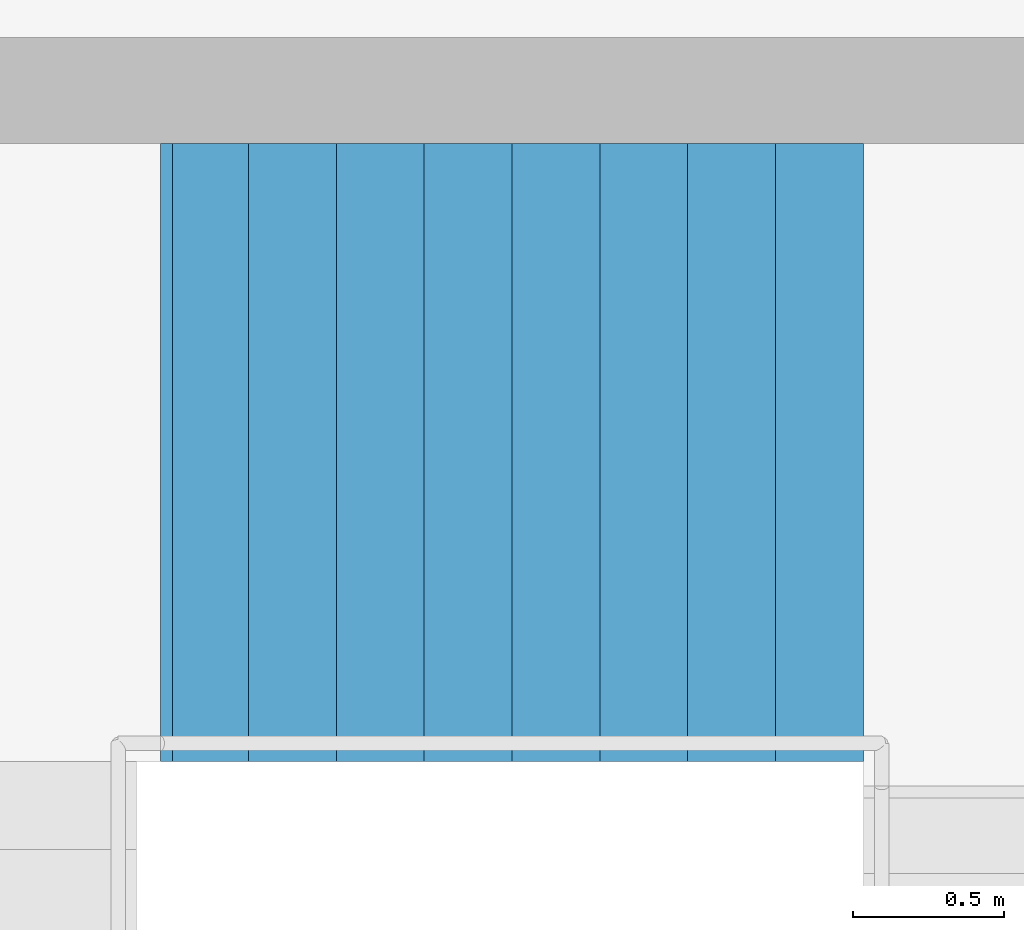
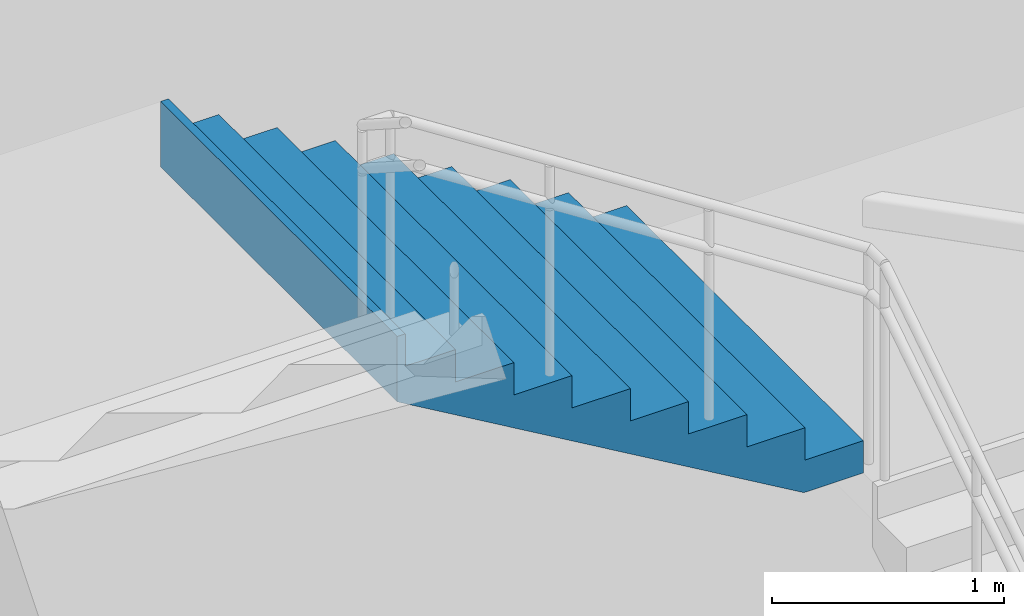
# One storey, part 49 of 58: 1 stair flight, 1 element without a shape of its own.
"""IFC4 building model written with IfcOpenShell, lengths in metres."""

from ifc_helpers import new_model, si_unit, direction, frame, origin, place, context, subcontext, project, spatial, triangles, material, type_object, element, aggregate, save


model = new_model("IFC4")

# Units and contexts
model_context = context("Model", 3, precision=1e-05, world=origin(), true_north=direction((0.0, 1.0)))
body_context = subcontext(model_context, "Body", "Model", "MODEL_VIEW")
ifc_project = project(units=[si_unit("LENGTHUNIT", "METRE"), si_unit("AREAUNIT", "SQUARE_METRE"), si_unit("VOLUMEUNIT", "CUBIC_METRE"), si_unit("PLANEANGLEUNIT", "RADIAN"), si_unit("MASSUNIT", "GRAM", prefix="KILO")], contexts=[model_context])

# Site, building, storey
site_placement = place(None, origin())
site = spatial("IfcSite", under=ifc_project, at=site_placement, CompositionType="ELEMENT")
building_placement = place(site_placement, origin())
building = spatial("IfcBuilding", under=site, at=building_placement, Name="Sillaruma Civic Art Gallery", CompositionType="ELEMENT")
storey_placement = place(building_placement, frame((0.0, 0.0, 22.43994140625)))
storey = spatial("IfcBuildingStorey", under=building, at=storey_placement, Name="L04", CompositionType="ELEMENT", Elevation=22.43994140625)

# Stair, stair flight
ifc_material = material(Name="Concrete H35 (35 MPa)", Category="concrete")
stair_type = type_object("IfcStairType", Name="STR-4F-36", PredefinedType="USERDEFINED", material=ifc_material)
stair_placement = place(storey_placement, origin())
stair = element("IfcStair", 1, at=stair_placement, inside=storey, type_object=stair_type, Name="Protected Exit Stair ST-04 (East Bar) (L04)", ObjectType="THREE_RETURN_STAIR", PredefinedType="USERDEFINED")
stair_flight_type = type_object("IfcStairFlightType", Name="SFL-STR-9", PredefinedType="STRAIGHT", material=ifc_material)
stair_flight_placement = place(storey_placement, frame((103.300048828125, 56.669921875, 3.06005859375), z_axis=(0.0, 0.0, 1.0), x_axis=(-1.0, 0.0, 0.0)))
stair_flight = element("IfcStairFlight", 2, at=stair_flight_placement, type_object=stair_flight_type, Name="ST-04 flight 3", NumberOfRisers=9, NumberOfTreads=8, PredefinedType="STRAIGHT", RiserHeight=0.17, TreadLength=0.29, context=body_context, shape_type="Tessellation", body=[
    triangles([(0.0, -1.02001953125, 0.0), (0.29, -1.02001953125, 0.0), (0.296482, -1.02001953125, 0.0), (0.58, -1.02001953125, 0.1662), (0.87, -1.02001953125, 0.3362), (1.16, -1.02001953125, 0.5062), (1.45, -1.02001953125, 0.6762), (1.74, -1.02001953125, 0.8462), (2.03, -1.02001953125, 1.0162), (2.280068, -1.02001953125, 1.162792), (2.320068, -1.02001953125, 1.18624), (2.320068, -1.02001953125, 1.53), (2.280068, -1.02001953125, 1.53), (2.280068, -1.02001953125, 1.36), (2.03, -1.02001953125, 1.36), (2.03, -1.02001953125, 1.19), (1.74, -1.02001953125, 1.19), (1.74, -1.02001953125, 1.02), (1.45, -1.02001953125, 1.02), (1.45, -1.02001953125, 0.85), (1.16, -1.02001953125, 0.85), (1.16, -1.02001953125, 0.68), (0.87, -1.02001953125, 0.68), (0.87, -1.02001953125, 0.51), (0.58, -1.02001953125, 0.51), (0.58, -1.02001953125, 0.34), (0.296482, -1.02001953125, 0.34), (0.29, -1.02001953125, 0.34), (0.29, -1.02001953125, 0.17), (0.0, -1.02001953125, 0.17), (0.0, -0.05, 0.0), (0.29, -0.05, 0.0), (0.296482, -0.05, 0.0), (0.58, -0.05, 0.1662), (0.87, -0.05, 0.3362), (1.16, -0.05, 0.5062), (1.45, -0.05, 0.6762), (1.74, -0.05, 0.8462), (2.03, -0.05, 1.0162), (2.280068, -0.05, 1.162792), (2.320068, -0.05, 1.18624), (2.320068, -0.05, 1.53), (2.280068, -0.05, 1.53), (2.280068, -0.05, 1.36), (2.03, -0.05, 1.36), (2.03, -0.05, 1.19), (1.74, -0.05, 1.19), (1.74, -0.05, 1.02), (1.45, -0.05, 1.02), (1.45, -0.05, 0.85), (1.16, -0.05, 0.85), (1.16, -0.05, 0.68), (0.87, -0.05, 0.68), (0.87, -0.05, 0.51), (0.58, -0.05, 0.51), (0.58, -0.05, 0.34), (0.296482, -0.05, 0.34), (0.29, -0.05, 0.34), (0.29, -0.05, 0.17), (0.0, -0.05, 0.17), (0.0, -0.0375, 0.0), (0.29, -0.0375, 0.0), (0.296482, -0.0375, 0.0), (0.58, -0.0375, 0.1662), (0.87, -0.0375, 0.3362), (1.16, -0.0375, 0.5062), (1.45, -0.0375, 0.6762), (1.74, -0.0375, 0.8462), (2.03, -0.0375, 1.0162), (2.280068, -0.0375, 1.162792), (2.320068, -0.0375, 1.18624), (2.320068, -0.0375, 1.53), (2.280068, -0.0375, 1.53), (2.280068, -0.0375, 1.36), (2.03, -0.0375, 1.36), (2.03, -0.0375, 1.19), (1.74, -0.0375, 1.19), (1.74, -0.0375, 1.02), (1.45, -0.0375, 1.02), (1.45, -0.0375, 0.85), (1.16, -0.0375, 0.85), (1.16, -0.0375, 0.68), (0.87, -0.0375, 0.68), (0.87, -0.0375, 0.51), (0.58, -0.0375, 0.51), (0.58, -0.0375, 0.34), (0.296482, -0.0375, 0.34), (0.29, -0.0375, 0.34), (0.29, -0.0375, 0.17), (0.0, -0.0375, 0.17), (0.0, -0.025, 0.0), (0.29, -0.025, 0.0), (0.296482, -0.025, 0.0), (0.58, -0.025, 0.1662), (0.87, -0.025, 0.3362), (1.16, -0.025, 0.5062), (1.45, -0.025, 0.6762), (1.74, -0.025, 0.8462), (2.03, -0.025, 1.0162), (2.280068, -0.025, 1.162792), (2.320068, -0.025, 1.18624), (2.320068, -0.025, 1.53), (2.280068, -0.025, 1.53), (2.280068, -0.025, 1.36), (2.03, -0.025, 1.36), (2.03, -0.025, 1.19), (1.74, -0.025, 1.19), (1.74, -0.025, 1.02), (1.45, -0.025, 1.02), (1.45, -0.025, 0.85), (1.16, -0.025, 0.85), (1.16, -0.025, 0.68), (0.87, -0.025, 0.68), (0.87, -0.025, 0.51), (0.58, -0.025, 0.51), (0.58, -0.025, 0.34), (0.296482, -0.025, 0.34), (0.29, -0.025, 0.34), (0.29, -0.025, 0.17), (0.0, -0.025, 0.17), (0.0, -0.0125, 0.0), (0.29, -0.0125, 0.0), (0.296482, -0.0125, 0.0), (0.58, -0.0125, 0.1662), (0.87, -0.0125, 0.3362), (1.16, -0.0125, 0.5062), (1.45, -0.0125, 0.6762), (1.74, -0.0125, 0.8462), (2.03, -0.0125, 1.0162), (2.280068, -0.0125, 1.162792), (2.320068, -0.0125, 1.18624), (2.320068, -0.0125, 1.53), (2.280068, -0.0125, 1.53), (2.280068, -0.0125, 1.36), (2.03, -0.0125, 1.36), (2.03, -0.0125, 1.19), (1.74, -0.0125, 1.19), (1.74, -0.0125, 1.02), (1.45, -0.0125, 1.02), (1.45, -0.0125, 0.85), (1.16, -0.0125, 0.85), (1.16, -0.0125, 0.68), (0.87, -0.0125, 0.68), (0.87, -0.0125, 0.51), (0.58, -0.0125, 0.51), (0.58, -0.0125, 0.34), (0.296482, -0.0125, 0.34), (0.29, -0.0125, 0.34), (0.29, -0.0125, 0.17), (0.0, -0.0125, 0.17), (0.0, 0.0, 0.0), (0.29, 0.0, 0.0), (0.296482, 0.0, 0.0), (0.58, 0.0, 0.1662), (0.87, 0.0, 0.3362), (1.16, 0.0, 0.5062), (1.45, 0.0, 0.6762), (1.74, 0.0, 0.8462), (2.03, 0.0, 1.0162), (2.280068, 0.0, 1.162792), (2.320068, 0.0, 1.18624), (2.320068, 0.0, 1.53), (2.280068, 0.0, 1.53), (2.280068, 0.0, 1.36), (2.03, 0.0, 1.36), (2.03, 0.0, 1.19), (1.74, 0.0, 1.19), (1.74, 0.0, 1.02), (1.45, 0.0, 1.02), (1.45, 0.0, 0.85), (1.16, 0.0, 0.85), (1.16, 0.0, 0.68), (0.87, 0.0, 0.68), (0.87, 0.0, 0.51), (0.58, 0.0, 0.51), (0.58, 0.0, 0.34), (0.296482, 0.0, 0.34), (0.29, 0.0, 0.34), (0.29, 0.0, 0.17), (0.0, 0.0, 0.17), (0.0, 0.0125, 0.0), (0.29, 0.0125, 0.0), (0.296482, 0.0125, 0.0), (0.58, 0.0125, 0.1662), (0.87, 0.0125, 0.3362), (1.16, 0.0125, 0.5062), (1.45, 0.0125, 0.6762), (1.74, 0.0125, 0.8462), (2.03, 0.0125, 1.0162), (2.280068, 0.0125, 1.162792), (2.320068, 0.0125, 1.18624), (2.320068, 0.0125, 1.53), (2.280068, 0.0125, 1.53), (2.280068, 0.0125, 1.36), (2.03, 0.0125, 1.36), (2.03, 0.0125, 1.19), (1.74, 0.0125, 1.19), (1.74, 0.0125, 1.02), (1.45, 0.0125, 1.02), (1.45, 0.0125, 0.85), (1.16, 0.0125, 0.85), (1.16, 0.0125, 0.68), (0.87, 0.0125, 0.68), (0.87, 0.0125, 0.51), (0.58, 0.0125, 0.51), (0.58, 0.0125, 0.34), (0.296482, 0.0125, 0.34), (0.29, 0.0125, 0.34), (0.29, 0.0125, 0.17), (0.0, 0.0125, 0.17), (0.0, 0.025, 0.0), (0.29, 0.025, 0.0), (0.296482, 0.025, 0.0), (0.58, 0.025, 0.1662), (0.87, 0.025, 0.3362), (1.16, 0.025, 0.5062), (1.45, 0.025, 0.6762), (1.74, 0.025, 0.8462), (2.03, 0.025, 1.0162), (2.280068, 0.025, 1.162792), (2.320068, 0.025, 1.18624), (2.320068, 0.025, 1.53), (2.280068, 0.025, 1.53), (2.280068, 0.025, 1.36), (2.03, 0.025, 1.36), (2.03, 0.025, 1.19), (1.74, 0.025, 1.19), (1.74, 0.025, 1.02), (1.45, 0.025, 1.02), (1.45, 0.025, 0.85), (1.16, 0.025, 0.85), (1.16, 0.025, 0.68), (0.87, 0.025, 0.68), (0.87, 0.025, 0.51), (0.58, 0.025, 0.51), (0.58, 0.025, 0.34), (0.296482, 0.025, 0.34), (0.29, 0.025, 0.34), (0.29, 0.025, 0.17), (0.0, 0.025, 0.17), (0.0, 0.0375, 0.0), (0.29, 0.0375, 0.0), (0.296482, 0.0375, 0.0), (0.58, 0.0375, 0.1662), (0.87, 0.0375, 0.3362), (1.16, 0.0375, 0.5062), (1.45, 0.0375, 0.6762), (1.74, 0.0375, 0.8462), (2.03, 0.0375, 1.0162), (2.280068, 0.0375, 1.162792), (2.320068, 0.0375, 1.18624), (2.320068, 0.0375, 1.53), (2.280068, 0.0375, 1.53), (2.280068, 0.0375, 1.36), (2.03, 0.0375, 1.36), (2.03, 0.0375, 1.19), (1.74, 0.0375, 1.19), (1.74, 0.0375, 1.02), (1.45, 0.0375, 1.02), (1.45, 0.0375, 0.85), (1.16, 0.0375, 0.85), (1.16, 0.0375, 0.68), (0.87, 0.0375, 0.68), (0.87, 0.0375, 0.51), (0.58, 0.0375, 0.51), (0.58, 0.0375, 0.34), (0.296482, 0.0375, 0.34), (0.29, 0.0375, 0.34), (0.29, 0.0375, 0.17), (0.0, 0.0375, 0.17), (0.0, 0.05, 0.0), (0.29, 0.05, 0.0), (0.296482, 0.05, 0.0), (0.58, 0.05, 0.1662), (0.87, 0.05, 0.3362), (1.16, 0.05, 0.5062), (1.45, 0.05, 0.6762), (1.74, 0.05, 0.8462), (2.03, 0.05, 1.0162), (2.280068, 0.05, 1.162792), (2.320068, 0.05, 1.18624), (2.320068, 0.05, 1.53), (2.280068, 0.05, 1.53), (2.280068, 0.05, 1.36), (2.03, 0.05, 1.36), (2.03, 0.05, 1.19), (1.74, 0.05, 1.19), (1.74, 0.05, 1.02), (1.45, 0.05, 1.02), (1.45, 0.05, 0.85), (1.16, 0.05, 0.85), (1.16, 0.05, 0.68), (0.87, 0.05, 0.68), (0.87, 0.05, 0.51), (0.58, 0.05, 0.51), (0.58, 0.05, 0.34), (0.296482, 0.05, 0.34), (0.29, 0.05, 0.34), (0.29, 0.05, 0.17), (0.0, 0.05, 0.17), (0.0, 1.02001953125, 0.0), (0.29, 1.02001953125, 0.0), (0.296482, 1.02001953125, 0.0), (0.58, 1.02001953125, 0.1662), (0.87, 1.02001953125, 0.3362), (1.16, 1.02001953125, 0.5062), (1.45, 1.02001953125, 0.6762), (1.74, 1.02001953125, 0.8462), (2.03, 1.02001953125, 1.0162), (2.280068, 1.02001953125, 1.162792), (2.320068, 1.02001953125, 1.18624), (2.320068, 1.02001953125, 1.53), (2.280068, 1.02001953125, 1.53), (2.280068, 1.02001953125, 1.36), (2.03, 1.02001953125, 1.36), (2.03, 1.02001953125, 1.19), (1.74, 1.02001953125, 1.19), (1.74, 1.02001953125, 1.02), (1.45, 1.02001953125, 1.02), (1.45, 1.02001953125, 0.85), (1.16, 1.02001953125, 0.85), (1.16, 1.02001953125, 0.68), (0.87, 1.02001953125, 0.68), (0.87, 1.02001953125, 0.51), (0.58, 1.02001953125, 0.51), (0.58, 1.02001953125, 0.34), (0.296482, 1.02001953125, 0.34), (0.29, 1.02001953125, 0.34), (0.29, 1.02001953125, 0.17), (0.0, 1.02001953125, 0.17)], [[1, 2, 29], [1, 29, 30], [2, 3, 27], [2, 27, 29], [29, 27, 28], [3, 4, 26], [3, 26, 27], [4, 5, 24], [4, 24, 26], [26, 24, 25], [5, 6, 22], [5, 22, 24], [24, 22, 23], [6, 7, 20], [6, 20, 22], [22, 20, 21], [7, 8, 18], [7, 18, 20], [20, 18, 19], [8, 9, 16], [8, 16, 18], [18, 16, 17], [9, 10, 14], [9, 14, 16], [16, 14, 15], [10, 11, 12], [10, 12, 14], [14, 12, 13], [329, 302, 301], [330, 329, 301], [327, 303, 302], [329, 327, 302], [328, 327, 329], [326, 304, 303], [327, 326, 303], [324, 305, 304], [326, 324, 304], [325, 324, 326], [322, 306, 305], [324, 322, 305], [323, 322, 324], [320, 307, 306], [322, 320, 306], [321, 320, 322], [318, 308, 307], [320, 318, 307], [319, 318, 320], [316, 309, 308], [318, 316, 308], [317, 316, 318], [314, 310, 309], [316, 314, 309], [315, 314, 316], [312, 311, 310], [314, 312, 310], [313, 312, 314], [2, 1, 31], [2, 31, 32], [3, 2, 32], [3, 32, 33], [4, 3, 33], [4, 33, 34], [5, 4, 34], [5, 34, 35], [6, 5, 35], [6, 35, 36], [7, 6, 36], [7, 36, 37], [8, 7, 37], [8, 37, 38], [9, 8, 38], [9, 38, 39], [10, 9, 39], [10, 39, 40], [11, 10, 40], [11, 40, 41], [12, 11, 41], [12, 41, 42], [13, 12, 42], [13, 42, 43], [14, 13, 43], [14, 43, 44], [15, 14, 44], [15, 44, 45], [16, 15, 45], [16, 45, 46], [17, 16, 46], [17, 46, 47], [18, 17, 47], [18, 47, 48], [19, 18, 48], [19, 48, 49], [20, 19, 49], [20, 49, 50], [21, 20, 50], [21, 50, 51], [22, 21, 51], [22, 51, 52], [23, 22, 52], [23, 52, 53], [24, 23, 53], [24, 53, 54], [25, 24, 54], [25, 54, 55], [26, 25, 55], [26, 55, 56], [27, 26, 56], [27, 56, 57], [28, 27, 57], [28, 57, 58], [29, 28, 58], [29, 58, 59], [30, 29, 59], [30, 59, 60], [1, 30, 60], [1, 60, 31], [32, 31, 61], [32, 61, 62], [33, 32, 62], [33, 62, 63], [34, 33, 63], [34, 63, 64], [35, 34, 64], [35, 64, 65], [36, 35, 65], [36, 65, 66], [37, 36, 66], [37, 66, 67], [38, 37, 67], [38, 67, 68], [39, 38, 68], [39, 68, 69], [40, 39, 69], [40, 69, 70], [41, 40, 70], [41, 70, 71], [42, 41, 71], [42, 71, 72], [43, 42, 72], [43, 72, 73], [44, 43, 73], [44, 73, 74], [45, 44, 74], [45, 74, 75], [46, 45, 75], [46, 75, 76], [47, 46, 76], [47, 76, 77], [48, 47, 77], [48, 77, 78], [49, 48, 78], [49, 78, 79], [50, 49, 79], [50, 79, 80], [51, 50, 80], [51, 80, 81], [52, 51, 81], [52, 81, 82], [53, 52, 82], [53, 82, 83], [54, 53, 83], [54, 83, 84], [55, 54, 84], [55, 84, 85], [56, 55, 85], [56, 85, 86], [57, 56, 86], [57, 86, 87], [58, 57, 87], [58, 87, 88], [59, 58, 88], [59, 88, 89], [60, 59, 89], [60, 89, 90], [31, 60, 90], [31, 90, 61], [62, 61, 91], [62, 91, 92], [63, 62, 92], [63, 92, 93], [64, 63, 93], [64, 93, 94], [65, 64, 94], [65, 94, 95], [66, 65, 95], [66, 95, 96], [67, 66, 96], [67, 96, 97], [68, 67, 97], [68, 97, 98], [69, 68, 98], [69, 98, 99], [70, 69, 99], [70, 99, 100], [71, 70, 100], [71, 100, 101], [72, 71, 101], [72, 101, 102], [73, 72, 102], [73, 102, 103], [74, 73, 103], [74, 103, 104], [75, 74, 104], [75, 104, 105], [76, 75, 105], [76, 105, 106], [77, 76, 106], [77, 106, 107], [78, 77, 107], [78, 107, 108], [79, 78, 108], [79, 108, 109], [80, 79, 109], [80, 109, 110], [81, 80, 110], [81, 110, 111], [82, 81, 111], [82, 111, 112], [83, 82, 112], [83, 112, 113], [84, 83, 113], [84, 113, 114], [85, 84, 114], [85, 114, 115], [86, 85, 115], [86, 115, 116], [87, 86, 116], [87, 116, 117], [88, 87, 117], [88, 117, 118], [89, 88, 118], [89, 118, 119], [90, 89, 119], [90, 119, 120], [61, 90, 120], [61, 120, 91], [92, 91, 121], [92, 121, 122], [93, 92, 122], [93, 122, 123], [94, 93, 123], [94, 123, 124], [95, 94, 124], [95, 124, 125], [96, 95, 125], [96, 125, 126], [97, 96, 126], [97, 126, 127], [98, 97, 127], [98, 127, 128], [99, 98, 128], [99, 128, 129], [100, 99, 129], [100, 129, 130], [101, 100, 130], [101, 130, 131], [102, 101, 131], [102, 131, 132], [103, 102, 132], [103, 132, 133], [104, 103, 133], [104, 133, 134], [105, 104, 134], [105, 134, 135], [106, 105, 135], [106, 135, 136], [107, 106, 136], [107, 136, 137], [108, 107, 137], [108, 137, 138], [109, 108, 138], [109, 138, 139], [110, 109, 139], [110, 139, 140], [111, 110, 140], [111, 140, 141], [112, 111, 141], [112, 141, 142], [113, 112, 142], [113, 142, 143], [114, 113, 143], [114, 143, 144], [115, 114, 144], [115, 144, 145], [116, 115, 145], [116, 145, 146], [117, 116, 146], [117, 146, 147], [118, 117, 147], [118, 147, 148], [119, 118, 148], [119, 148, 149], [120, 119, 149], [120, 149, 150], [91, 120, 150], [91, 150, 121], [122, 121, 151], [122, 151, 152], [123, 122, 152], [123, 152, 153], [124, 123, 153], [124, 153, 154], [125, 124, 154], [125, 154, 155], [126, 125, 155], [126, 155, 156], [127, 126, 156], [127, 156, 157], [128, 127, 157], [128, 157, 158], [129, 128, 158], [129, 158, 159], [130, 129, 159], [130, 159, 160], [131, 130, 160], [131, 160, 161], [132, 131, 161], [132, 161, 162], [133, 132, 162], [133, 162, 163], [134, 133, 163], [134, 163, 164], [135, 134, 164], [135, 164, 165], [136, 135, 165], [136, 165, 166], [137, 136, 166], [137, 166, 167], [138, 137, 167], [138, 167, 168], [139, 138, 168], [139, 168, 169], [140, 139, 169], [140, 169, 170], [141, 140, 170], [141, 170, 171], [142, 141, 171], [142, 171, 172], [143, 142, 172], [143, 172, 173], [144, 143, 173], [144, 173, 174], [145, 144, 174], [145, 174, 175], [146, 145, 175], [146, 175, 176], [147, 146, 176], [147, 176, 177], [148, 147, 177], [148, 177, 178], [149, 148, 178], [149, 178, 179], [150, 149, 179], [150, 179, 180], [121, 150, 180], [121, 180, 151], [152, 151, 181], [152, 181, 182], [153, 152, 182], [153, 182, 183], [154, 153, 183], [154, 183, 184], [155, 154, 184], [155, 184, 185], [156, 155, 185], [156, 185, 186], [157, 156, 186], [157, 186, 187], [158, 157, 187], [158, 187, 188], [159, 158, 188], [159, 188, 189], [160, 159, 189], [160, 189, 190], [161, 160, 190], [161, 190, 191], [162, 161, 191], [162, 191, 192], [163, 162, 192], [163, 192, 193], [164, 163, 193], [164, 193, 194], [165, 164, 194], [165, 194, 195], [166, 165, 195], [166, 195, 196], [167, 166, 196], [167, 196, 197], [168, 167, 197], [168, 197, 198], [169, 168, 198], [169, 198, 199], [170, 169, 199], [170, 199, 200], [171, 170, 200], [171, 200, 201], [172, 171, 201], [172, 201, 202], [173, 172, 202], [173, 202, 203], [174, 173, 203], [174, 203, 204], [175, 174, 204], [175, 204, 205], [176, 175, 205], [176, 205, 206], [177, 176, 206], [177, 206, 207], [178, 177, 207], [178, 207, 208], [179, 178, 208], [179, 208, 209], [180, 179, 209], [180, 209, 210], [151, 180, 210], [151, 210, 181], [182, 181, 211], [182, 211, 212], [183, 182, 212], [183, 212, 213], [184, 183, 213], [184, 213, 214], [185, 184, 214], [185, 214, 215], [186, 185, 215], [186, 215, 216], [187, 186, 216], [187, 216, 217], [188, 187, 217], [188, 217, 218], [189, 188, 218], [189, 218, 219], [190, 189, 219], [190, 219, 220], [191, 190, 220], [191, 220, 221], [192, 191, 221], [192, 221, 222], [193, 192, 222], [193, 222, 223], [194, 193, 223], [194, 223, 224], [195, 194, 224], [195, 224, 225], [196, 195, 225], [196, 225, 226], [197, 196, 226], [197, 226, 227], [198, 197, 227], [198, 227, 228], [199, 198, 228], [199, 228, 229], [200, 199, 229], [200, 229, 230], [201, 200, 230], [201, 230, 231], [202, 201, 231], [202, 231, 232], [203, 202, 232], [203, 232, 233], [204, 203, 233], [204, 233, 234], [205, 204, 234], [205, 234, 235], [206, 205, 235], [206, 235, 236], [207, 206, 236], [207, 236, 237], [208, 207, 237], [208, 237, 238], [209, 208, 238], [209, 238, 239], [210, 209, 239], [210, 239, 240], [181, 210, 240], [181, 240, 211], [212, 211, 241], [212, 241, 242], [213, 212, 242], [213, 242, 243], [214, 213, 243], [214, 243, 244], [215, 214, 244], [215, 244, 245], [216, 215, 245], [216, 245, 246], [217, 216, 246], [217, 246, 247], [218, 217, 247], [218, 247, 248], [219, 218, 248], [219, 248, 249], [220, 219, 249], [220, 249, 250], [221, 220, 250], [221, 250, 251], [222, 221, 251], [222, 251, 252], [223, 222, 252], [223, 252, 253], [224, 223, 253], [224, 253, 254], [225, 224, 254], [225, 254, 255], [226, 225, 255], [226, 255, 256], [227, 226, 256], [227, 256, 257], [228, 227, 257], [228, 257, 258], [229, 228, 258], [229, 258, 259], [230, 229, 259], [230, 259, 260], [231, 230, 260], [231, 260, 261], [232, 231, 261], [232, 261, 262], [233, 232, 262], [233, 262, 263], [234, 233, 263], [234, 263, 264], [235, 234, 264], [235, 264, 265], [236, 235, 265], [236, 265, 266], [237, 236, 266], [237, 266, 267], [238, 237, 267], [238, 267, 268], [239, 238, 268], [239, 268, 269], [240, 239, 269], [240, 269, 270], [211, 240, 270], [211, 270, 241], [242, 241, 271], [242, 271, 272], [243, 242, 272], [243, 272, 273], [244, 243, 273], [244, 273, 274], [245, 244, 274], [245, 274, 275], [246, 245, 275], [246, 275, 276], [247, 246, 276], [247, 276, 277], [248, 247, 277], [248, 277, 278], [249, 248, 278], [249, 278, 279], [250, 249, 279], [250, 279, 280], [251, 250, 280], [251, 280, 281], [252, 251, 281], [252, 281, 282], [253, 252, 282], [253, 282, 283], [254, 253, 283], [254, 283, 284], [255, 254, 284], [255, 284, 285], [256, 255, 285], [256, 285, 286], [257, 256, 286], [257, 286, 287], [258, 257, 287], [258, 287, 288], [259, 258, 288], [259, 288, 289], [260, 259, 289], [260, 289, 290], [261, 260, 290], [261, 290, 291], [262, 261, 291], [262, 291, 292], [263, 262, 292], [263, 292, 293], [264, 263, 293], [264, 293, 294], [265, 264, 294], [265, 294, 295], [266, 265, 295], [266, 295, 296], [267, 266, 296], [267, 296, 297], [268, 267, 297], [268, 297, 298], [269, 268, 298], [269, 298, 299], [270, 269, 299], [270, 299, 300], [241, 270, 300], [241, 300, 271], [272, 271, 301], [272, 301, 302], [273, 272, 302], [273, 302, 303], [274, 273, 303], [274, 303, 304], [275, 274, 304], [275, 304, 305], [276, 275, 305], [276, 305, 306], [277, 276, 306], [277, 306, 307], [278, 277, 307], [278, 307, 308], [279, 278, 308], [279, 308, 309], [280, 279, 309], [280, 309, 310], [281, 280, 310], [281, 310, 311], [282, 281, 311], [282, 311, 312], [283, 282, 312], [283, 312, 313], [284, 283, 313], [284, 313, 314], [285, 284, 314], [285, 314, 315], [286, 285, 315], [286, 315, 316], [287, 286, 316], [287, 316, 317], [288, 287, 317], [288, 317, 318], [289, 288, 318], [289, 318, 319], [290, 289, 319], [290, 319, 320], [291, 290, 320], [291, 320, 321], [292, 291, 321], [292, 321, 322], [293, 292, 322], [293, 322, 323], [294, 293, 323], [294, 323, 324], [295, 294, 324], [295, 324, 325], [296, 295, 325], [296, 325, 326], [297, 296, 326], [297, 326, 327], [298, 297, 327], [298, 327, 328], [299, 298, 328], [299, 328, 329], [300, 299, 329], [300, 329, 330], [271, 300, 330], [271, 330, 301]], closed=True),
])
aggregate(stair, [stair_flight])

save(model, "model.ifc")
